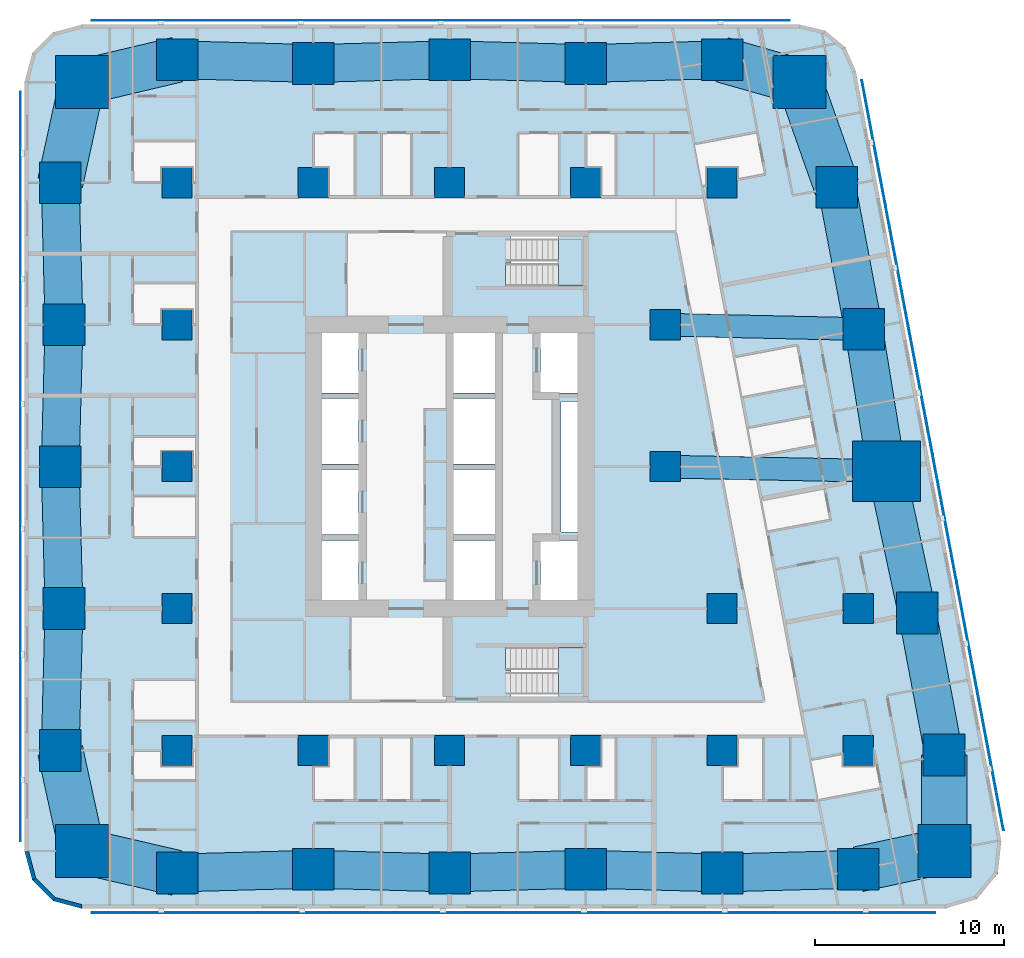
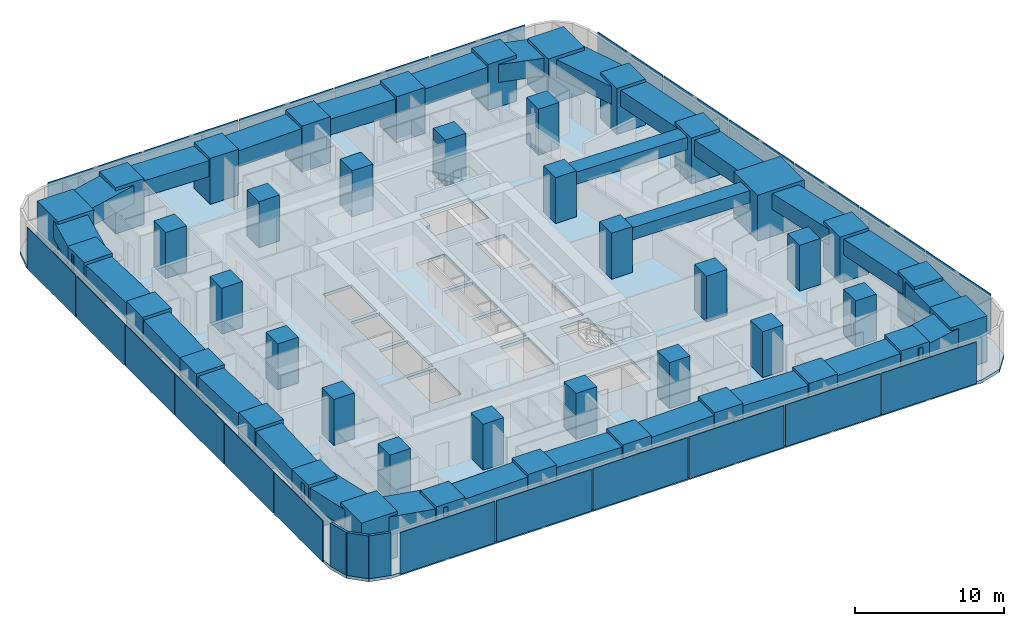
# One storey, part 1 of 15: 43 columns, 27 beams, 23 plates, 3 slabs, 3 walls, 2 elements without a shape of their own.
"""IFC4 building model written with IfcOpenShell, lengths in metres."""

from ifc_helpers import new_model, si_unit, direction, frame, frame_2d, origin, origin_2d, place, context, subcontext, project, spatial, polyline, rectangle, outline, extrude, material, layer, layer_set, material_profile, profile_set, type_object, element, aggregate, save


model = new_model("IFC4")

# Units and contexts
model_context = context("Model", 3, precision=1e-05, world=origin(), true_north=direction((0.0, 1.0)))
body_context = subcontext(model_context, "Body", "Model", "MODEL_VIEW")
ifc_project = project(units=[si_unit("LENGTHUNIT", "METRE"), si_unit("AREAUNIT", "SQUARE_METRE"), si_unit("VOLUMEUNIT", "CUBIC_METRE"), si_unit("PLANEANGLEUNIT", "RADIAN"), si_unit("MASSUNIT", "GRAM", prefix="KILO")], contexts=[model_context])

# Site, building, storey
site_placement = place(None, origin())
site = spatial("IfcSite", under=ifc_project, at=site_placement, CompositionType="ELEMENT")
building_placement = place(site_placement, origin())
building = spatial("IfcBuilding", under=site, at=building_placement, Name="Sheger Commons Tower", CompositionType="ELEMENT")
storey_placement = place(building_placement, frame((0.0, 0.0, 100.39990234375)))
storey = spatial("IfcBuildingStorey", under=building, at=storey_placement, Name="L25", CompositionType="ELEMENT", Elevation=100.39990234375)

# Columns
ifc_material_1 = material(Name="Concrete C50/60", Category="concrete")
ifc_material_profile_1 = material_profile(ifc_material_1, rectangle(XDim=3.60009765625, YDim=3.199951171875, at=origin_2d()), Name="RC 3600x3200")
ifc_profile_set_1 = profile_set([ifc_material_profile_1], Name="Concrete C50/60")
column_type_1 = type_object("IfcColumnType", Name="COLUMN PIER RC 3600x3200", PredefinedType="COLUMN", material=ifc_profile_set_1)
column_placement = place(storey_placement, frame((44.697021484375, 22.262939453125, 0.0), z_axis=(0.0, 0.0, 1.0), x_axis=(1.0, 0.0, 0.0)))
element("IfcColumn", 1, at=column_placement, inside=storey, type_object=column_type_1, Name="Pier 7/D+E/D L25", PredefinedType="COLUMN", context=body_context, shape_type="SweptSolid", body=[
    extrude(rectangle(XDim=3.60009765625, YDim=3.199951171875, at=origin_2d()), origin(), (0.0, 0.0, 1.0), 3.75),
])
ifc_material_2 = material(Name="Concrete C50/60", Category="concrete")
ifc_material_profile_2 = material_profile(ifc_material_2, rectangle(XDim=1.60009765625, YDim=1.60009765625, at=origin_2d()), Name="RC 1600x1600")
ifc_profile_set_2 = profile_set([ifc_material_profile_2], Name="Concrete C50/60")
column_type_2 = type_object("IfcColumnType", Name="COLUMN RC 1600x1600", PredefinedType="COLUMN", material=ifc_profile_set_2)
for number, where, z_axis, x_axis, name in (
    (2, (7.199951171875, 7.5, 0.0), (0.0, 0.0, 1.0), (1.0, 0.0, 0.0), "Column 2/B L25"),
    (3, (14.39990234375, 7.5, 0.0), (0.0, 0.0, 1.0), (1.0, 0.0, 0.0), "Column 3/B L25"),
    (4, (21.60009765625, 7.5, 0.0), (0.0, 0.0, 1.0), (1.0, 0.0, 0.0), "Column 4/B L25"),
    (5, (28.800048828125, 7.5, 0.0), (0.0, 0.0, 1.0), (1.0, 0.0, 0.0), "Column 5/B L25"),
    (6, (36.0, 7.5, 0.0), (0.0, 0.0, 1.0), (1.0, 0.0, 0.0), "Column 6/B L25"),
    (7, (43.199951171875, 7.5, 0.0), (0.0, 0.0, 1.0), (1.0, 0.0, 0.0), "Column 7/B L25"),
    (8, (7.199951171875, 15.0, 0.0), (0.0, 0.0, 1.0), (1.0, 0.0, 0.0), "Column 2/C L25"),
    (9, (36.0, 15.0, 0.0), (0.0, 0.0, 1.0), (1.0, 0.0, 0.0), "Column 6/C L25"),
    (10, (43.199951171875, 15.0, 0.0), (0.0, 0.0, 1.0), (1.0, 0.0, 0.0), "Column 7/C L25"),
    (11, (7.199951171875, 22.5, 0.0), (0.0, 0.0, 1.0), (1.0, 0.0, 0.0), "Column 2/D L25"),
    (12, (33.0, 22.5, 0.0), (0.0, 0.0, 1.0), (1.0, 0.0, 0.0), "Column 6-3000/D L25"),
    (13, (7.199951171875, 30.0, 0.0), (0.0, 0.0, 1.0), (1.0, 0.0, 0.0), "Column 2/E L25"),
    (14, (33.0, 30.0, 0.0), (0.0, 0.0, 1.0), (1.0, 0.0, 0.0), "Column 6-3000/E L25"),
    (15, (7.199951171875, 37.5, 0.0), (0.0, 0.0, 1.0), (1.0, 0.0, 0.0), "Column 2/F L25"),
    (16, (14.39990234375, 37.5, 0.0), (0.0, 0.0, 1.0), (1.0, 0.0, 0.0), "Column 3/F L25"),
    (17, (21.60009765625, 37.5, 0.0), (0.0, 0.0, 1.0), (1.0, 0.0, 0.0), "Column 4/F L25"),
    (18, (28.800048828125, 37.5, 0.0), (0.0, 0.0, 1.0), (1.0, 0.0, 0.0), "Column 5/F L25"),
    (19, (36.0, 37.5, 0.0), (0.0, 0.0, 1.0), (1.0, 0.0, 0.0), "Column 6/F L25"),
):
    element("IfcColumn", number, at=place(storey_placement, frame(where, z_axis=z_axis, x_axis=x_axis)), inside=storey, type_object=column_type_2, Name=name, PredefinedType="COLUMN", context=body_context, shape_type="SweptSolid", body=[
        extrude(rectangle(XDim=1.60009765625, YDim=1.60009765625, at=origin_2d()), origin(), (0.0, 0.0, 1.0), 3.75),
    ])
ifc_material_3 = material(Name="Concrete C50/60", Category="concrete")
ifc_material_profile_3 = material_profile(ifc_material_3, rectangle(XDim=2.199951171875, YDim=2.199951171875, at=origin_2d()), Name="RC 2200x2200")
ifc_profile_set_3 = profile_set([ifc_material_profile_3], Name="Concrete C50/60")
column_type_3 = type_object("IfcColumnType", Name="COLUMN RC 2200x2200", PredefinedType="COLUMN", material=ifc_profile_set_3)
for number, where, z_axis, x_axis, name in (
    (20, (7.199951171875, 1.02490234375, 0.0), (0.0, 0.0, 1.0), (1.0, 0.0, 0.0), "Column 2/A L25"),
    (21, (14.39990234375, 1.22509765625, 0.0), (0.0, 0.0, 1.0), (1.0, 0.0, 0.0), "Column 3/A L25"),
    (22, (21.60009765625, 1.02490234375, 0.0), (0.0, 0.0, 1.0), (1.0, 0.0, 0.0), "Column 4/A L25"),
    (23, (28.800048828125, 1.22509765625, 0.0), (0.0, 0.0, 1.0), (1.0, 0.0, 0.0), "Column 5/A L25"),
    (24, (36.0, 1.02490234375, 0.0), (0.0, 0.0, 1.0), (1.0, 0.0, 0.0), "Column 6/A L25"),
    (25, (43.199951171875, 1.22509765625, 0.0), (0.0, 0.0, 1.0), (1.0, 0.0, 0.0), "Column 7/A L25"),
    (26, (1.02490234375, 7.5, 0.0), (0.0, 0.0, 1.0), (1.0, 0.0, 0.0), "Column 1/B L25"),
    (27, (47.72998046875, 7.262939453125, 0.0), (0.0, 0.0, 1.0), (1.0, 0.0, 0.0), "Column E/B L25"),
    (28, (1.22509765625, 15.0, 0.0), (0.0, 0.0, 1.0), (1.0, 0.0, 0.0), "Column 1/C L25"),
    (29, (46.31396484375, 14.762939453125, 0.0), (0.0, 0.0, 1.0), (1.0, 0.0, 0.0), "Column E/C L25"),
    (30, (1.02490234375, 22.5, 0.0), (0.0, 0.0, 1.0), (1.0, 0.0, 0.0), "Column 1/D L25"),
    (31, (1.22509765625, 30.0, 0.0), (0.0, 0.0, 1.0), (1.0, 0.0, 0.0), "Column 1/E L25"),
    (32, (43.47998046875, 29.762939453125, 0.0), (0.0, 0.0, 1.0), (1.0, 0.0, 0.0), "Column E/E L25"),
    (33, (1.02490234375, 37.5, 0.0), (0.0, 0.0, 1.0), (1.0, 0.0, 0.0), "Column 1/F L25"),
    (34, (42.06396484375, 37.262939453125, 0.0), (0.0, 0.0, 1.0), (1.0, 0.0, 0.0), "Column E/F L25"),
    (35, (7.199951171875, 44.0, 0.0), (0.0, 0.0, 1.0), (1.0, 0.0, 0.0), "Column 2/G L25"),
    (36, (14.39990234375, 43.800048828125, 0.0), (0.0, 0.0, 1.0), (1.0, 0.0, 0.0), "Column 3/G L25"),
    (37, (21.60009765625, 44.0, 0.0), (0.0, 0.0, 1.0), (1.0, 0.0, 0.0), "Column 4/G L25"),
    (38, (28.800048828125, 43.800048828125, 0.0), (0.0, 0.0, 1.0), (1.0, 0.0, 0.0), "Column 5/G L25"),
    (39, (36.0, 44.0, 0.0), (0.0, 0.0, 1.0), (1.0, 0.0, 0.0), "Column 6/G L25"),
):
    element("IfcColumn", number, at=place(storey_placement, frame(where, z_axis=z_axis, x_axis=x_axis)), inside=storey, type_object=column_type_3, Name=name, PredefinedType="COLUMN", context=body_context, shape_type="SweptSolid", body=[
        extrude(rectangle(XDim=2.199951171875, YDim=2.199951171875, at=origin_2d()), origin(), (0.0, 0.0, 1.0), 3.75),
    ])
ifc_material_4 = material(Name="Concrete C50/60", Category="concrete")
ifc_material_profile_4 = material_profile(ifc_material_4, rectangle(XDim=2.800048828125, YDim=2.800048828125, at=origin_2d()), Name="RC 2800x2800")
ifc_profile_set_4 = profile_set([ifc_material_profile_4], Name="Concrete C50/60")
column_type_4 = type_object("IfcColumnType", Name="COLUMN RC 2800x2800", PredefinedType="COLUMN", material=ifc_profile_set_4)
for number, where, z_axis, x_axis, name in (
    (40, (2.18603515625, 2.18603515625, 0.0), (0.0, 0.0, 1.0), (1.0, 0.0, 0.0), "Column 0.630,0.630 L25"),
    (41, (47.748046875, 2.197021484375, 0.0), (0.0, 0.0, 1.0), (1.0, 0.0, 0.0), "Column 49.461,0.778 L25"),
    (42, (2.18603515625, 42.81396484375, 0.0), (0.0, 0.0, 1.0), (1.0, 0.0, 0.0), "Column 0.630,44.370 L25"),
    (43, (40.10205078125, 42.830078125, 0.0), (0.0, 0.0, 1.0), (1.0, 0.0, 0.0), "Column 41.490,44.505 L25"),
):
    element("IfcColumn", number, at=place(storey_placement, frame(where, z_axis=z_axis, x_axis=x_axis)), inside=storey, type_object=column_type_4, Name=name, PredefinedType="COLUMN", context=body_context, shape_type="SweptSolid", body=[
        extrude(rectangle(XDim=2.800048828125, YDim=2.800048828125, at=origin_2d()), origin(), (0.0, 0.0, 1.0), 3.75),
    ])

# Beams
ifc_material_5 = material(Name="Concrete C50/60", Category="concrete")
ifc_material_profile_5 = material_profile(ifc_material_5, rectangle(XDim=1.199951171875, YDim=1.0, at=origin_2d()), Name="RC 1200x1000")
ifc_profile_set_5 = profile_set([ifc_material_profile_5], Name="Concrete C50/60")
beam_type_1 = type_object("IfcBeamType", Name="BEAM RC 1200x1000", PredefinedType="BEAM", material=ifc_profile_set_5)
beam_1_placement = place(storey_placement, frame((33.0, 22.5, 3.0), z_axis=(0.999794692776, -0.02026258368, 0.0), x_axis=(0.02026258368, 0.999794692776, 0.0)))
element("IfcBeam", 44, at=beam_1_placement, inside=storey, type_object=beam_type_1, Name="Beam 6-3000/D-7/D under L26", PredefinedType="BEAM", context=body_context, shape_type="SweptSolid", body=[
    extrude(rectangle(XDim=1.199951171875, YDim=1.0, at=origin_2d()), origin(), (0.0, 0.0, 1.0), 11.699462890625),
])
beam_2_placement = place(storey_placement, frame((33.0, 30.0, 3.0), z_axis=(0.999744258625, -0.022614538395, 0.0), x_axis=(0.022614538395, 0.999744258625, 0.0)))
element("IfcBeam", 45, at=beam_2_placement, inside=storey, type_object=beam_type_1, Name="Beam 6-3000/E-E/E under L26", PredefinedType="BEAM", context=body_context, shape_type="SweptSolid", body=[
    extrude(rectangle(XDim=1.199951171875, YDim=1.0, at=origin_2d()), origin(), (0.0, 0.0, 1.0), 10.482666015625),
])
ifc_material_6 = material(Name="Concrete C50/60", Category="concrete")
ifc_material_profile_6 = material_profile(ifc_material_6, rectangle(XDim=2.0, YDim=1.300048828125, at=origin_2d()), Name="RC 2000x1300")
ifc_profile_set_6 = profile_set([ifc_material_profile_6], Name="Concrete C50/60")
beam_type_2 = type_object("IfcBeamType", Name="SPANDREL RC 2000x1300", PredefinedType="SPANDREL", material=ifc_profile_set_6)
beam_3_placement = place(storey_placement, frame((7.199951171875, 1.02490234375, 2.85009765625), z_axis=(0.9996136624, 0.027794350926, 0.0), x_axis=(-0.027794350926, 0.9996136624, 0.0)))
element("IfcBeam", 46, at=beam_3_placement, inside=storey, type_object=beam_type_2, Name="Beam 2/A-3/A under L26", PredefinedType="SPANDREL", context=body_context, shape_type="SweptSolid", body=[
    extrude(rectangle(XDim=2.0, YDim=1.300048828125, at=origin_2d()), origin(), (0.0, 0.0, 1.0), 7.20263671875),
])
beam_4_placement = place(storey_placement, frame((14.39990234375, 1.22509765625, 2.85009765625), z_axis=(0.999613688584, -0.027793409217, 0.0), x_axis=(0.027793409217, 0.999613688584, 0.0)))
element("IfcBeam", 47, at=beam_4_placement, inside=storey, type_object=beam_type_2, Name="Beam 3/A-4/A under L26", PredefinedType="SPANDREL", context=body_context, shape_type="SweptSolid", body=[
    extrude(rectangle(XDim=2.0, YDim=1.300048828125, at=origin_2d()), origin(), (0.0, 0.0, 1.0), 7.202880859375),
])
for number, where, z_axis, x_axis, name in (
    (48, (21.60009765625, 1.02490234375, 2.85009765625), (0.9996136624, 0.027794350926, 0.0), (-0.027794350926, 0.9996136624, 0.0), "Beam 4/A-5/A under L26"),
    (49, (28.800048828125, 1.22509765625, 2.85009765625), (0.9996136624, -0.027794350926, 0.0), (0.027794350926, 0.9996136624, 0.0), "Beam 5/A-6/A under L26"),
    (50, (36.0, 1.02490234375, 2.85009765625), (0.9996136624, 0.027794350926, 0.0), (-0.027794350926, 0.9996136624, 0.0), "Beam 6/A-7/A under L26"),
):
    element("IfcBeam", number, at=place(storey_placement, frame(where, z_axis=z_axis, x_axis=x_axis)), inside=storey, type_object=beam_type_2, Name=name, PredefinedType="SPANDREL", context=body_context, shape_type="SweptSolid", body=[
        extrude(rectangle(XDim=2.0, YDim=1.300048828125, at=origin_2d()), origin(), (0.0, 0.0, 1.0), 7.20263671875),
    ])
beam_5_placement = place(storey_placement, frame((47.72998046875, 7.262939453125, 2.85009765625), z_axis=(-0.18552441405, 0.982639655108, 0.0), x_axis=(-0.982639655108, -0.18552441405, 0.0)))
element("IfcBeam", 51, at=beam_5_placement, inside=storey, type_object=beam_type_2, Name="Beam E/B-E/C under L26", PredefinedType="SPANDREL", context=body_context, shape_type="SweptSolid", body=[
    extrude(rectangle(XDim=2.0, YDim=1.300048828125, at=origin_2d()), origin(), (0.0, 0.0, 1.0), 7.632568359375),
])
beam_6_placement = place(storey_placement, frame((46.31396484375, 14.762939453125, 2.85009765625), z_axis=(-0.210750229323, 0.977539943348, 0.0), x_axis=(-0.977539943348, -0.210750229323, 0.0)))
element("IfcBeam", 52, at=beam_6_placement, inside=storey, type_object=beam_type_2, Name="Beam E/C-E/D under L26", PredefinedType="SPANDREL", context=body_context, shape_type="SweptSolid", body=[
    extrude(rectangle(XDim=2.0, YDim=1.300048828125, at=origin_2d()), origin(), (0.0, 0.0, 1.0), 7.67236328125),
])
beam_7_placement = place(storey_placement, frame((44.697021484375, 22.262939453125, 2.85009765625), z_axis=(-0.160176929512, 0.987088319884, 0.0), x_axis=(-0.987088319884, -0.160176929512, 0.0)))
element("IfcBeam", 53, at=beam_7_placement, inside=storey, type_object=beam_type_2, Name="Beam E/D-E/E under L26", PredefinedType="SPANDREL", context=body_context, shape_type="SweptSolid", body=[
    extrude(rectangle(XDim=2.0, YDim=1.300048828125, at=origin_2d()), origin(), (0.0, 0.0, 1.0), 7.59814453125),
])
beam_8_placement = place(storey_placement, frame((43.47998046875, 29.762939453125, 2.85009765625), z_axis=(-0.18552441405, 0.982639655108, 0.0), x_axis=(-0.982639655108, -0.18552441405, 0.0)))
element("IfcBeam", 54, at=beam_8_placement, inside=storey, type_object=beam_type_2, Name="Beam E/E-E/F under L26", PredefinedType="SPANDREL", context=body_context, shape_type="SweptSolid", body=[
    extrude(rectangle(XDim=2.0, YDim=1.300048828125, at=origin_2d()), origin(), (0.0, 0.0, 1.0), 7.632568359375),
])
for number, where, z_axis, x_axis, name in (
    (55, (36.0, 44.0, 2.85009765625), (-0.999614603568, -0.027760481514, 0.0), (0.027760481514, -0.999614603568, 0.0), "Beam 6/G-5/G under L26"),
    (56, (28.800048828125, 43.800048828125, 2.85009765625), (-0.999614603568, 0.027760481514, 0.0), (-0.027760481514, -0.999614603568, 0.0), "Beam 5/G-4/G under L26"),
):
    element("IfcBeam", number, at=place(storey_placement, frame(where, z_axis=z_axis, x_axis=x_axis)), inside=storey, type_object=beam_type_2, Name=name, PredefinedType="SPANDREL", context=body_context, shape_type="SweptSolid", body=[
        extrude(rectangle(XDim=2.0, YDim=1.300048828125, at=origin_2d()), origin(), (0.0, 0.0, 1.0), 7.20263671875),
    ])
beam_9_placement = place(storey_placement, frame((21.60009765625, 44.0, 2.85009765625), z_axis=(-0.999614629688, -0.027759540951, 0.0), x_axis=(0.027759540951, -0.999614629688, 0.0)))
element("IfcBeam", 57, at=beam_9_placement, inside=storey, type_object=beam_type_2, Name="Beam 4/G-3/G under L26", PredefinedType="SPANDREL", context=body_context, shape_type="SweptSolid", body=[
    extrude(rectangle(XDim=2.0, YDim=1.300048828125, at=origin_2d()), origin(), (0.0, 0.0, 1.0), 7.202880859375),
])
beam_10_placement = place(storey_placement, frame((14.39990234375, 43.800048828125, 2.85009765625), z_axis=(-0.999614603568, 0.027760481514, 0.0), x_axis=(-0.027760481514, -0.999614603568, 0.0)))
element("IfcBeam", 58, at=beam_10_placement, inside=storey, type_object=beam_type_2, Name="Beam 3/G-2/G under L26", PredefinedType="SPANDREL", context=body_context, shape_type="SweptSolid", body=[
    extrude(rectangle(XDim=2.0, YDim=1.300048828125, at=origin_2d()), origin(), (0.0, 0.0, 1.0), 7.20263671875),
])
for number, where, z_axis, x_axis, name in (
    (59, (1.02490234375, 37.5, 2.85009765625), (0.026683204125, -0.999643939919, 0.0), (0.999643939919, 0.026683204125, 0.0), "Beam 1/F-1/E under L26"),
    (60, (1.22509765625, 30.0, 2.85009765625), (-0.026683204125, -0.999643939919, 0.0), (0.999643939919, -0.026683204125, 0.0), "Beam 1/E-1/D under L26"),
    (61, (1.02490234375, 22.5, 2.85009765625), (0.026683204125, -0.999643939919, 0.0), (0.999643939919, 0.026683204125, 0.0), "Beam 1/D-1/C under L26"),
    (62, (1.22509765625, 15.0, 2.85009765625), (-0.026683204125, -0.999643939919, 0.0), (0.999643939919, -0.026683204125, 0.0), "Beam 1/C-1/B under L26"),
):
    element("IfcBeam", number, at=place(storey_placement, frame(where, z_axis=z_axis, x_axis=x_axis)), inside=storey, type_object=beam_type_2, Name=name, PredefinedType="SPANDREL", context=body_context, shape_type="SweptSolid", body=[
        extrude(rectangle(XDim=2.0, YDim=1.300048828125, at=origin_2d()), origin(), (0.0, 0.0, 1.0), 7.502685546875),
    ])
ifc_material_7 = material(Name="Concrete C50/60", Category="concrete")
ifc_material_profile_7 = material_profile(ifc_material_7, rectangle(XDim=2.39990234375, YDim=1.449951171875, at=origin_2d()), Name="RC 2400x1450")
ifc_profile_set_7 = profile_set([ifc_material_profile_7], Name="Concrete C50/60")
beam_type_3 = type_object("IfcBeamType", Name="SPANDREL RC 2400x1450", PredefinedType="SPANDREL", material=ifc_profile_set_7)
beam_11_placement = place(storey_placement, frame((2.18603515625, 2.18603515625, 2.775146484375), z_axis=(0.974217413499, -0.225611239159, 0.0), x_axis=(0.225611239159, 0.974217413499, 0.0)))
element("IfcBeam", 63, at=beam_11_placement, inside=storey, type_object=beam_type_3, Name="Beam 0.630,0.630-2/A under L26", PredefinedType="SPANDREL", context=body_context, shape_type="SweptSolid", body=[
    extrude(rectangle(XDim=2.39990234375, YDim=1.449951171875, at=origin_2d()), origin(), (0.0, 0.0, 1.0), 5.146728515625),
])
beam_12_placement = place(storey_placement, frame((43.199951171875, 1.22509765625, 2.775146484375), z_axis=(0.977919796671, 0.208980552394, 0.0), x_axis=(-0.208980552394, 0.977919796671, 0.0)))
element("IfcBeam", 64, at=beam_12_placement, inside=storey, type_object=beam_type_3, Name="Beam 7/A-49.461,0.778 under L26", PredefinedType="SPANDREL", context=body_context, shape_type="SweptSolid", body=[
    extrude(rectangle(XDim=2.39990234375, YDim=1.449951171875, at=origin_2d()), origin(), (0.0, 0.0, 1.0), 4.65087890625),
])
beam_13_placement = place(storey_placement, frame((47.748046875, 2.197021484375, 2.775146484375), z_axis=(-0.003566242382, 0.999993640937, 0.0), x_axis=(-0.999993640937, -0.003566242382, 0.0)))
element("IfcBeam", 65, at=beam_13_placement, inside=storey, type_object=beam_type_3, Name="Beam 49.461,0.778-E/B under L26", PredefinedType="SPANDREL", context=body_context, shape_type="SweptSolid", body=[
    extrude(rectangle(XDim=2.39990234375, YDim=1.449951171875, at=origin_2d()), origin(), (0.0, 0.0, 1.0), 5.06591796875),
])
beam_14_placement = place(storey_placement, frame((42.06396484375, 37.262939453125, 2.775146484375), z_axis=(-0.332374403357, 0.943147526102, 0.0), x_axis=(-0.943147526102, -0.332374403357, 0.0)))
element("IfcBeam", 66, at=beam_14_placement, inside=storey, type_object=beam_type_3, Name="Beam E/F-41.490,44.505 under L26", PredefinedType="SPANDREL", context=body_context, shape_type="SweptSolid", body=[
    extrude(rectangle(XDim=2.39990234375, YDim=1.449951171875, at=origin_2d()), origin(), (0.0, 0.0, 1.0), 5.90283203125),
])
beam_15_placement = place(storey_placement, frame((40.10205078125, 42.830078125, 2.775146484375), z_axis=(-0.961653428129, 0.274267541221, 0.0), x_axis=(-0.274267541221, -0.961653428129, 0.0)))
element("IfcBeam", 67, at=beam_15_placement, inside=storey, type_object=beam_type_3, Name="Beam 41.490,44.505-6/G under L26", PredefinedType="SPANDREL", context=body_context, shape_type="SweptSolid", body=[
    extrude(rectangle(XDim=2.39990234375, YDim=1.449951171875, at=origin_2d()), origin(), (0.0, 0.0, 1.0), 4.265625),
])
beam_16_placement = place(storey_placement, frame((7.199951171875, 44.0, 2.775146484375), z_axis=(-0.97314428949, -0.230195985701, 0.0), x_axis=(0.230195985701, -0.97314428949, 0.0)))
element("IfcBeam", 68, at=beam_16_placement, inside=storey, type_object=beam_type_3, Name="Beam 2/G-0.630,44.370 under L26", PredefinedType="SPANDREL", context=body_context, shape_type="SweptSolid", body=[
    extrude(rectangle(XDim=2.39990234375, YDim=1.449951171875, at=origin_2d()), origin(), (0.0, 0.0, 1.0), 5.15234375),
])
for number, where, z_axis, x_axis, name in (
    (69, (2.18603515625, 42.81396484375, 2.775146484375), (-0.213469314652, -0.976949769283, 0.0), (0.976949769283, -0.213469314652, 0.0), "Beam 0.630,44.370-1/F under L26"),
    (70, (1.02490234375, 7.5, 2.775146484375), (0.213469314652, -0.976949769283, 0.0), (0.976949769283, 0.213469314652, 0.0), "Beam 1/B-0.630,0.630 under L26"),
):
    element("IfcBeam", number, at=place(storey_placement, frame(where, z_axis=z_axis, x_axis=x_axis)), inside=storey, type_object=beam_type_3, Name=name, PredefinedType="SPANDREL", context=body_context, shape_type="SweptSolid", body=[
        extrude(rectangle(XDim=2.39990234375, YDim=1.449951171875, at=origin_2d()), origin(), (0.0, 0.0, 1.0), 5.439453125),
    ])

# Slab
ifc_material_8 = material(Name="Concrete C35/45", Category="concrete")
ifc_layer_1 = layer(ifc_material_8, 0.25)
ifc_layer_set_1 = layer_set([ifc_layer_1], Name="SLAB FLOOR 250")
slab_type_1 = type_object("IfcSlabType", Name="SLAB FLOOR 250", PredefinedType="FLOOR", material=ifc_layer_set_1)
slab_1_placement = place(storey_placement, frame((0.0, 0.0, -0.25)))
element("IfcSlab", 71, at=slab_1_placement, inside=storey, type_object=slab_type_1, Name="L25 floor slab", PredefinedType="FLOOR", context=body_context, shape_type="SweptSolid", body=[
    extrude(outline(polyline([(-0.85009765625, 2.14990234375), (-0.447998046875, 0.64990234375), (0.64990234375, -0.447998046875), (2.14990234375, -0.85009765625), (47.805908203125, -0.85009765625), (49.465087890625, -0.35009765625), (50.570068359375, 0.98388671875), (50.75390625, 2.70703125), (43.06591796875, 43.406982421875), (42.509033203125, 44.660888671875), (41.452880859375, 45.535888671875), (40.117919921875, 45.85009765625), (2.14990234375, 45.85009765625), (0.64990234375, 45.447998046875), (-0.447998046875, 44.35009765625), (-0.85009765625, 42.85009765625), (-0.85009765625, 2.14990234375)]), holes=[polyline([(24.85009765625, 10.35009765625), (28.64990234375, 10.35009765625), (28.64990234375, 12.949951171875), (24.551025390625, 12.949951171875), (24.551025390625, 11.75), (24.85009765625, 11.75), (24.85009765625, 10.35009765625)]), polyline([(24.551025390625, 32.050048828125), (28.64990234375, 32.050048828125), (28.64990234375, 34.64990234375), (24.85009765625, 34.64990234375), (24.85009765625, 33.25), (24.551025390625, 33.25), (24.551025390625, 32.050048828125)]), polyline([(26.39990234375, 15.14990234375), (28.60009765625, 15.14990234375), (28.60009765625, 18.60009765625), (26.39990234375, 18.60009765625), (26.39990234375, 15.14990234375)]), polyline([(26.39990234375, 26.39990234375), (28.60009765625, 26.39990234375), (28.60009765625, 29.85009765625), (26.39990234375, 29.85009765625), (26.39990234375, 26.39990234375)]), polyline([(14.60009765625, 15.14990234375), (16.800048828125, 15.14990234375), (16.800048828125, 18.60009765625), (14.60009765625, 18.60009765625), (14.60009765625, 15.14990234375)]), polyline([(14.60009765625, 18.89990234375), (16.800048828125, 18.89990234375), (16.800048828125, 22.35009765625), (14.60009765625, 22.35009765625), (14.60009765625, 18.89990234375)]), polyline([(14.60009765625, 22.64990234375), (16.800048828125, 22.64990234375), (16.800048828125, 26.10009765625), (14.60009765625, 26.10009765625), (14.60009765625, 22.64990234375)]), polyline([(14.60009765625, 26.39990234375), (16.800048828125, 26.39990234375), (16.800048828125, 29.85009765625), (14.60009765625, 29.85009765625), (14.60009765625, 26.39990234375)]), polyline([(21.800048828125, 15.14990234375), (24.0, 15.14990234375), (24.0, 18.60009765625), (21.800048828125, 18.60009765625), (21.800048828125, 15.14990234375)]), polyline([(21.800048828125, 18.89990234375), (24.0, 18.89990234375), (24.0, 22.35009765625), (21.800048828125, 22.35009765625), (21.800048828125, 18.89990234375)]), polyline([(21.800048828125, 22.64990234375), (24.0, 22.64990234375), (24.0, 26.10009765625), (21.800048828125, 26.10009765625), (21.800048828125, 22.64990234375)]), polyline([(21.800048828125, 26.39990234375), (24.0, 26.39990234375), (24.0, 29.85009765625), (21.800048828125, 29.85009765625), (21.800048828125, 26.39990234375)]), polyline([(27.5, 19.050048828125), (28.5, 19.050048828125), (28.5, 25.949951171875), (27.5, 25.949951171875), (27.5, 19.050048828125)])]), origin(), (0.0, 0.0, 1.0), 0.25),
])

# Plates
ifc_material_9 = material(Name="Perforated black anodised aluminium screen", Category="aluminium")
ifc_layer_2 = layer(ifc_material_9, 0.050048828125)
ifc_layer_set_2 = layer_set([ifc_layer_2], Name="SOLAR SCREEN SCREEN-1")
plate_type = type_object("IfcPlateType", Name="SOLAR SCREEN SCREEN-1", PredefinedType="USERDEFINED", material=ifc_layer_set_2)
for number, where, z_axis, x_axis, name in (
    (72, (6.37109375, -1.074951171875, 0.050048828125), (0.0, 0.0, 1.0), (1.0, 0.0, 0.0), "Perforated solar screen panel"),
    (73, (13.81396484375, -1.074951171875, 0.050048828125), (0.0, 0.0, 1.0), (1.0, 0.0, 0.0), "Perforated solar screen panel"),
    (74, (21.257080078125, -1.074951171875, 0.050048828125), (0.0, 0.0, 1.0), (1.0, 0.0, 0.0), "Perforated solar screen panel"),
    (75, (28.698974609375, -1.074951171875, 0.050048828125), (0.0, 0.0, 1.0), (1.0, 0.0, 0.0), "Perforated solar screen panel"),
    (76, (36.14208984375, -1.074951171875, 0.050048828125), (0.0, 0.0, 1.0), (1.0, 0.0, 0.0), "Perforated solar screen panel"),
    (77, (43.5849609375, -1.074951171875, 0.050048828125), (0.0, 0.0, 1.0), (1.0, 0.0, 0.0), "Perforated solar screen panel"),
):
    element("IfcPlate", number, at=place(storey_placement, frame(where, z_axis=z_axis, x_axis=x_axis)), inside=storey, type_object=plate_type, Name=name, ObjectType="SCREEN", PredefinedType="USERDEFINED", context=body_context, shape_type="SweptSolid", body=[
        extrude(rectangle(XDim=7.343017578125, YDim=0.050048828125, at=origin_2d()), origin(), (0.0, 0.0, 1.0), 3.39990234375),
    ])
for number, where, z_axis, x_axis, name in (
    (78, (50.257080078125, 6.550048828125, 0.050048828125), (0.0, 0.0, 1.0), (-0.185615165645, 0.982622516678, 0.0), "Perforated solar screen panel"),
    (79, (49.007080078125, 13.1689453125, 0.050048828125), (0.0, 0.0, 1.0), (-0.185615165645, 0.982622516678, 0.0), "Perforated solar screen panel"),
    (80, (47.756103515625, 19.7890625, 0.050048828125), (0.0, 0.0, 1.0), (-0.185615165645, 0.982622516678, 0.0), "Perforated solar screen panel"),
    (81, (46.506103515625, 26.408935546875, 0.050048828125), (0.0, 0.0, 1.0), (-0.185615165645, 0.982622516678, 0.0), "Perforated solar screen panel"),
    (82, (45.2548828125, 33.028076171875, 0.050048828125), (0.0, 0.0, 1.0), (-0.185615165645, 0.982622516678, 0.0), "Perforated solar screen panel"),
    (83, (44.0048828125, 39.64794921875, 0.050048828125), (0.0, 0.0, 1.0), (-0.185615165645, 0.982622516678, 0.0), "Perforated solar screen panel"),
):
    element("IfcPlate", number, at=place(storey_placement, frame(where, z_axis=z_axis, x_axis=x_axis)), inside=storey, type_object=plate_type, Name=name, ObjectType="SCREEN", PredefinedType="USERDEFINED", context=body_context, shape_type="SweptSolid", body=[
        extrude(rectangle(XDim=6.636962890625, YDim=0.050048828125, at=origin_2d()), origin(), (0.0, 0.0, 1.0), 3.39990234375),
    ])
for number, where, z_axis, x_axis, name in (
    (84, (35.9208984375, 46.074951171875, 0.050048828125), (0.0, 0.0, 1.0), (-1.0, 0.0, 0.0), "Perforated solar screen panel"),
    (85, (28.528076171875, 46.074951171875, 0.050048828125), (0.0, 0.0, 1.0), (-1.0, 0.0, 0.0), "Perforated solar screen panel"),
    (86, (21.134033203125, 46.074951171875, 0.050048828125), (0.0, 0.0, 1.0), (-1.0, 0.0, 0.0), "Perforated solar screen panel"),
    (87, (13.739990234375, 46.074951171875, 0.050048828125), (0.0, 0.0, 1.0), (-1.0, 0.0, 0.0), "Perforated solar screen panel"),
    (88, (6.346923828125, 46.074951171875, 0.050048828125), (0.0, 0.0, 1.0), (-1.0, 0.0, 0.0), "Perforated solar screen panel"),
):
    element("IfcPlate", number, at=place(storey_placement, frame(where, z_axis=z_axis, x_axis=x_axis)), inside=storey, type_object=plate_type, Name=name, ObjectType="SCREEN", PredefinedType="USERDEFINED", context=body_context, shape_type="SweptSolid", body=[
        extrude(rectangle(XDim=7.2939453125, YDim=0.050048828125, at=origin_2d()), origin(), (0.0, 0.0, 1.0), 3.39990234375),
    ])
for number, where, z_axis, x_axis, name in (
    (89, (-1.074951171875, 39.0419921875, 0.050048828125), (0.0, 0.0, 1.0), (0.0, -1.0, 0.0), "Perforated solar screen panel"),
    (90, (-1.074951171875, 32.425048828125, 0.050048828125), (0.0, 0.0, 1.0), (0.0, -1.0, 0.0), "Perforated solar screen panel"),
    (91, (-1.074951171875, 25.80810546875, 0.050048828125), (0.0, 0.0, 1.0), (0.0, -1.0, 0.0), "Perforated solar screen panel"),
    (92, (-1.074951171875, 19.19189453125, 0.050048828125), (0.0, 0.0, 1.0), (0.0, -1.0, 0.0), "Perforated solar screen panel"),
    (93, (-1.074951171875, 12.574951171875, 0.050048828125), (0.0, 0.0, 1.0), (0.0, -1.0, 0.0), "Perforated solar screen panel"),
    (94, (-1.074951171875, 5.9580078125, 0.050048828125), (0.0, 0.0, 1.0), (0.0, -1.0, 0.0), "Perforated solar screen panel"),
):
    element("IfcPlate", number, at=place(storey_placement, frame(where, z_axis=z_axis, x_axis=x_axis)), inside=storey, type_object=plate_type, Name=name, ObjectType="SCREEN", PredefinedType="USERDEFINED", context=body_context, shape_type="SweptSolid", body=[
        extrude(rectangle(XDim=6.51708984375, YDim=0.050048828125, at=origin_2d()), origin(), (0.0, 0.0, 1.0), 3.39990234375),
    ])

# Stair, slab
ifc_material_10 = material(Name="Concrete C35/45", Category="concrete")
stair_type = type_object("IfcStairType", Name="HALF-TURN STAIR 1200 RISE 3750", PredefinedType="HALF_TURN_STAIR", material=ifc_material_10)
stair_1_placement = place(storey_placement, origin())
stair_1 = element("IfcStair", 95, at=stair_1_placement, inside=storey, type_object=stair_type, Name="Stair S1 L25", PredefinedType="HALF_TURN_STAIR")
ifc_material_11 = material(Name="Concrete C35/45", Category="concrete")
ifc_layer_3 = layer(ifc_material_11, 0.199951171875)
ifc_layer_set_3 = layer_set([ifc_layer_3], Name="STAIR LANDING 200")
slab_type_2 = type_object("IfcSlabType", Name="STAIR LANDING 200", PredefinedType="LANDING", material=ifc_layer_set_3)
slab_2_placement = place(storey_placement, frame((0.0, 0.0, 1.675048828125)))
slab_2 = element("IfcSlab", 96, at=slab_2_placement, type_object=slab_type_2, Name="S1 landing 1", PredefinedType="LANDING", context=body_context, shape_type="SweptSolid", body=[
    extrude(outline(polyline([(27.35009765625, 10.199951171875), (28.800048828125, 10.199951171875), (28.800048828125, 12.949951171875), (27.35009765625, 12.949951171875), (27.35009765625, 10.199951171875)])), origin(), (0.0, 0.0, 1.0), 0.199951171875),
])
aggregate(stair_1, [slab_2])

stair_2_placement = place(storey_placement, origin())
stair_2 = element("IfcStair", 97, at=stair_2_placement, inside=storey, type_object=stair_type, Name="Stair S2 L25", PredefinedType="HALF_TURN_STAIR")
slab_3_placement = place(storey_placement, frame((0.0, 0.0, 1.675048828125)))
slab_3 = element("IfcSlab", 98, at=slab_3_placement, type_object=slab_type_2, Name="S2 landing 1", PredefinedType="LANDING", context=body_context, shape_type="SweptSolid", body=[
    extrude(outline(polyline([(27.35009765625, 32.050048828125), (28.800048828125, 32.050048828125), (28.800048828125, 34.800048828125), (27.35009765625, 34.800048828125), (27.35009765625, 32.050048828125)])), origin(), (0.0, 0.0, 1.0), 0.199951171875),
])
aggregate(stair_2, [slab_3])

# Walls
ifc_material_12 = material(Name="Rendered concrete block masonry, dark grey", Category="masonry")
ifc_layer_4 = layer(ifc_material_12, 0.199951171875)
ifc_layer_set_4 = layer_set([ifc_layer_4], Name="FACADE WALL 200")
wall_type = type_object("IfcWallType", Name="FACADE WALL 200", PredefinedType="SOLIDWALL", material=ifc_layer_set_4)
wall_1_placement = place(storey_placement, frame((-0.75, 2.1630859375, 0.0), z_axis=(0.0, 0.0, 1.0), x_axis=(0.259168954497, -0.965832000415, 0.0)))
element("IfcWall", 99, at=wall_1_placement, inside=storey, type_object=wall_type, Name="Facade wall L25", PredefinedType="SOLIDWALL", context=body_context, shape_type="SweptSolid", body=[
    extrude(rectangle(XDim=1.512939453125, YDim=0.199951171875, at=frame_2d((0.75634765625, 0.0))), origin(), (0.0, 0.0, 1.0), 3.5),
])
wall_2_placement = place(storey_placement, frame((-0.35791015625, 0.701904296875, 0.0), z_axis=(0.0, 0.0, 1.0), x_axis=(0.707106781187, -0.707106781187, 0.0)))
element("IfcWall", 100, at=wall_2_placement, inside=storey, type_object=wall_type, Name="Facade wall L25", PredefinedType="SOLIDWALL", context=body_context, shape_type="SweptSolid", body=[
    extrude(rectangle(XDim=1.498779296875, YDim=0.199951171875, at=frame_2d((0.74951171875, 0.0))), origin(), (0.0, 0.0, 1.0), 3.5),
])
wall_3_placement = place(storey_placement, frame((0.701904296875, -0.35791015625, 0.0), z_axis=(0.0, 0.0, 1.0), x_axis=(0.965832000415, -0.259168954497, 0.0)))
element("IfcWall", 101, at=wall_3_placement, inside=storey, type_object=wall_type, Name="Facade wall L25", PredefinedType="SOLIDWALL", context=body_context, shape_type="SweptSolid", body=[
    extrude(rectangle(XDim=1.512939453125, YDim=0.199951171875, at=frame_2d((0.75634765625, 0.0))), origin(), (0.0, 0.0, 1.0), 3.5),
])

save(model, "model.ifc")
